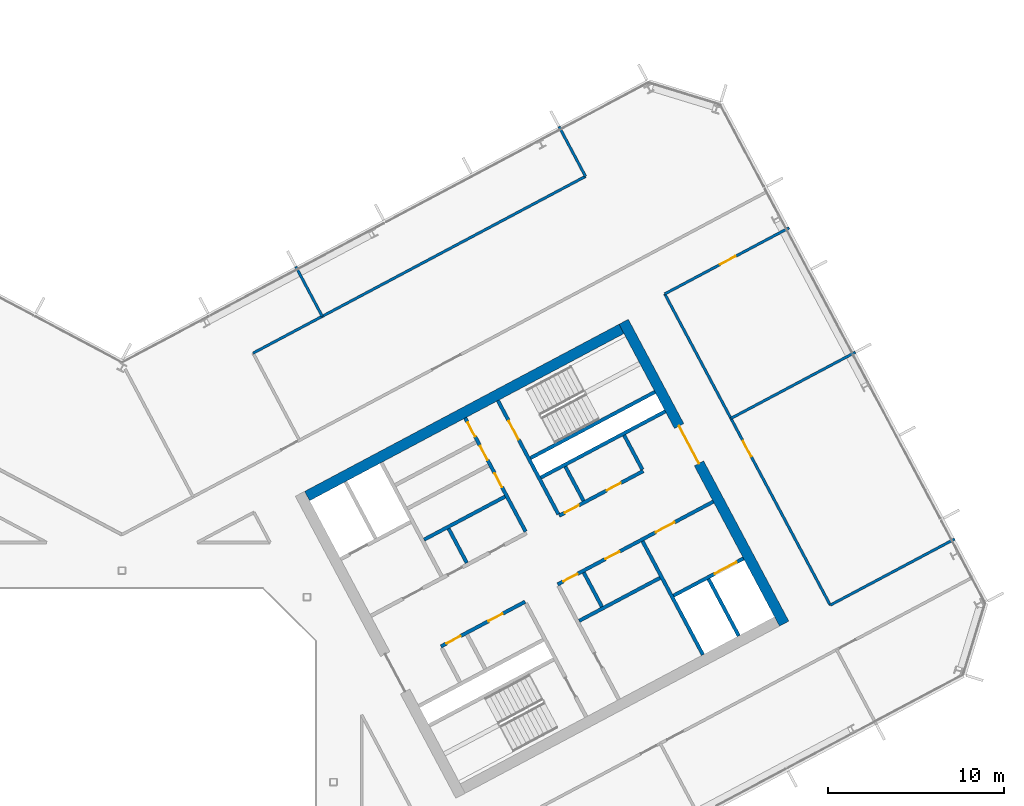
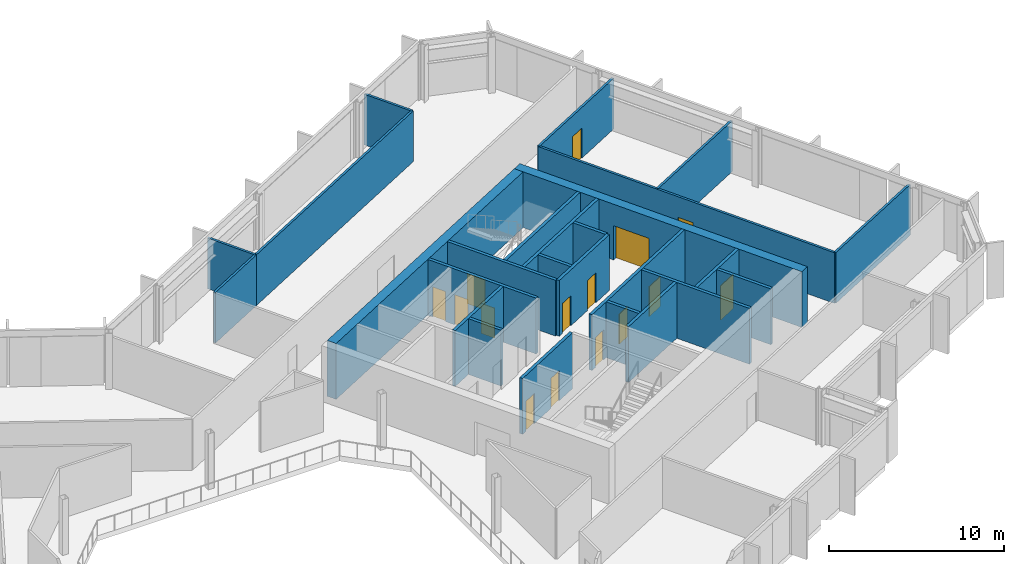
# One storey, part 17 of 27: 26 walls, 15 doors, 15 openings.
"""IFC4 building model written with IfcOpenShell, lengths in metres."""

from ifc_helpers import new_model, si_unit, direction, frame, frame_2d, origin, place, context, subcontext, project, spatial, rectangle, extrude, material, layer, layer_set, type_object, element, fill, save


model = new_model("IFC4")

# Units and contexts
model_context = context("Model", 3, precision=1e-05, world=origin(), true_north=direction((0.0, 1.0)))
body_context = subcontext(model_context, "Body", "Model", "MODEL_VIEW")
ifc_project = project(units=[si_unit("LENGTHUNIT", "METRE"), si_unit("AREAUNIT", "SQUARE_METRE"), si_unit("VOLUMEUNIT", "CUBIC_METRE"), si_unit("PLANEANGLEUNIT", "RADIAN"), si_unit("MASSUNIT", "GRAM", prefix="KILO")], contexts=[model_context])

# Site, building, storey
site_placement = place(None, origin())
site = spatial("IfcSite", under=ifc_project, at=site_placement, CompositionType="ELEMENT")
building_placement = place(site_placement, origin())
building = spatial("IfcBuilding", under=site, at=building_placement, Name="Cormorant Relay Tower", CompositionType="ELEMENT")
storey_placement = place(building_placement, frame((0.0, 0.0, 240.300048828125)))
storey = spatial("IfcBuildingStorey", under=building, at=storey_placement, Name="L53", CompositionType="ELEMENT", Elevation=240.300048828125)

# Walls
ifc_material_1 = material(Name="Concrete 40 MPa", Category="concrete")
ifc_layer_1 = layer(ifc_material_1, 0.199951171875)
ifc_layer_set_1 = layer_set([ifc_layer_1], Name="Core internal wall 200")
wall_type_1 = type_object("IfcWallType", Name="Core internal wall 200", PredefinedType="SOLIDWALL", material=ifc_layer_set_1)
for number, where, z_axis, x_axis, name in (
    (1, (19.568603515625, 12.443603515625, 0.0), (0.0, 0.0, 1.0), (-0.4694473164, 0.882960484464, 0.0), "L53 core B shaft and room wall"),
    (2, (27.236083984375, 9.951416015625, 0.0), (0.0, 0.0, 1.0), (-0.4694473164, 0.882960484464, 0.0), "L53 core B shaft and room wall"),
    (3, (26.19091796875, 15.964599609375, 0.0), (0.0, 0.0, 1.0), (-0.469533832133, 0.882914480843, 0.0), "L53 core B shaft and room wall"),
):
    element("IfcWall", number, at=place(storey_placement, frame(where, z_axis=z_axis, x_axis=x_axis)), inside=storey, type_object=wall_type_1, Name=name, PredefinedType="SOLIDWALL", context=body_context, shape_type="SweptSolid", body=[
        extrude(rectangle(XDim=2.199951171875, YDim=0.199951171875, at=frame_2d((1.10009765625, 0.0))), origin(), (0.0, 0.0, 1.0), 3.89990234375),
    ])

# Wall, openings, doors
ifc_material_2 = material(Name="Concrete 50 MPa", Category="concrete")
ifc_layer_2 = layer(ifc_material_2, 0.199951171875)
ifc_layer_set_2 = layer_set([ifc_layer_2], Name="Core shaft wall 200")
wall_type_2 = type_object("IfcWallType", Name="Core shaft wall 200", PredefinedType="SHEAR", material=ifc_layer_set_2)
wall_1_placement = place(storey_placement, frame((22.90625, 14.218017578125, 0.0), z_axis=(0.0, 0.0, 1.0), x_axis=(-0.469480409012, 0.88294288918, 0.0)))
wall_1 = element("IfcWall", 4, at=wall_1_placement, inside=storey, type_object=wall_type_2, Name="L53 core B shaft wall", PredefinedType="SHEAR", context=body_context, shape_type="SweptSolid", body=[
    extrude(rectangle(XDim=7.300048828125, YDim=0.199951171875, at=frame_2d((3.64990234375, 0.0))), origin(), (0.0, 0.0, 1.0), 3.89990234375),
])
opening_1_placement = place(wall_1_placement, frame((2.85009765625, 0.0, 0.0)))
opening_1 = element("IfcOpeningElement", 5, at=opening_1_placement, cuts=wall_1, Name="Opening CDD-299", PredefinedType="OPENING", context=body_context, shape_type="SweptSolid", body=[
    extrude(rectangle(XDim=0.89990234375, YDim=2.10009765625, at=frame_2d((0.449951171875, 1.050048828125))), frame((0.0, 0.10986328125, 0.0), z_axis=(0.0, -1.0, 0.0), x_axis=(1.0, 0.0, 0.0)), (0.0, 0.0, 1.0), 0.219970703125),
])
opening_2_placement = place(wall_1_placement, frame((4.60009765625, 0.0, 0.0)))
opening_2 = element("IfcOpeningElement", 6, at=opening_2_placement, cuts=wall_1, Name="Opening CDD-300", PredefinedType="OPENING", context=body_context, shape_type="SweptSolid", body=[
    extrude(rectangle(XDim=0.89990234375, YDim=2.10009765625, at=frame_2d((0.449951171875, 1.050048828125))), frame((0.0, 0.10986328125, 0.0), z_axis=(0.0, -1.0, 0.0), x_axis=(1.0, 0.0, 0.0)), (0.0, 0.0, 1.0), 0.219970703125),
])
opening_3_placement = place(wall_1_placement, frame((6.10009765625, 0.0, 0.0)))
opening_3 = element("IfcOpeningElement", 7, at=opening_3_placement, cuts=wall_1, Name="Opening CDD-301", PredefinedType="OPENING", context=body_context, shape_type="SweptSolid", body=[
    extrude(rectangle(XDim=0.89990234375, YDim=2.10009765625, at=frame_2d((0.449951171875, 1.050048828125))), frame((0.0, 0.10986328125, 0.0), z_axis=(0.0, -1.0, 0.0), x_axis=(1.0, 0.0, 0.0)), (0.0, 0.0, 1.0), 0.219970703125),
])
ifc_material_3 = material(Name="Steel fire door", Category="steel")
door_type_1 = type_object("IfcDoorType", Name="Core room door 900x2100", OperationType="SINGLE_SWING_LEFT", PredefinedType="DOOR", material=ifc_material_3)
door_1_placement = place(opening_1_placement, origin())
door_1 = element("IfcDoor", 8, at=door_1_placement, inside=storey, type_object=door_type_1, Name="Core room door 900x2100", OperationType="SINGLE_SWING_RIGHT", OverallHeight=2.10009765625, OverallWidth=0.89990234375, PredefinedType="DOOR", context=body_context, shape_type="SweptSolid", body=[
    extrude(rectangle(XDim=0.89990234375, YDim=2.10009765625, at=frame_2d((0.449951171875, 1.050048828125))), frame((0.0, 0.02490234375, 0.0), z_axis=(0.0, -1.0, 0.0), x_axis=(1.0, 0.0, 0.0)), (0.0, 0.0, 1.0), 0.050048828125),
])
fill(opening_1, door_1)
door_2_placement = place(opening_2_placement, origin())
door_2 = element("IfcDoor", 9, at=door_2_placement, inside=storey, type_object=door_type_1, Name="Core room door 900x2100", OperationType="SINGLE_SWING_LEFT", OverallHeight=2.10009765625, OverallWidth=0.89990234375, PredefinedType="DOOR", context=body_context, shape_type="SweptSolid", body=[
    extrude(rectangle(XDim=0.89990234375, YDim=2.10009765625, at=frame_2d((0.449951171875, 1.050048828125))), frame((0.0, 0.02490234375, 0.0), z_axis=(0.0, -1.0, 0.0), x_axis=(1.0, 0.0, 0.0)), (0.0, 0.0, 1.0), 0.050048828125),
])
fill(opening_2, door_2)
door_3_placement = place(opening_3_placement, origin())
door_3 = element("IfcDoor", 10, at=door_3_placement, inside=storey, type_object=door_type_1, Name="Core room door 900x2100", OperationType="SINGLE_SWING_LEFT", OverallHeight=2.10009765625, OverallWidth=0.89990234375, PredefinedType="DOOR", context=body_context, shape_type="SweptSolid", body=[
    extrude(rectangle(XDim=0.89990234375, YDim=2.10009765625, at=frame_2d((0.449951171875, 1.050048828125))), frame((0.0, 0.02490234375, 0.0), z_axis=(0.0, -1.0, 0.0), x_axis=(1.0, 0.0, 0.0)), (0.0, 0.0, 1.0), 0.050048828125),
])
fill(opening_3, door_3)

# Wall, opening, door
wall_2_placement = place(storey_placement, frame((24.760498046875, 15.2041015625, 0.0), z_axis=(0.0, 0.0, 1.0), x_axis=(-0.469494272526, 0.882935517501, 0.0)))
wall_2 = element("IfcWall", 11, at=wall_2_placement, inside=storey, type_object=wall_type_2, Name="L53 core B shaft wall", PredefinedType="SHEAR", context=body_context, shape_type="SweptSolid", body=[
    extrude(rectangle(XDim=7.2998046875, YDim=0.199951171875, at=frame_2d((3.64990234375, 0.0))), origin(), (0.0, 0.0, 1.0), 3.89990234375),
])
opening_4_placement = place(wall_2_placement, frame((4.800048828125, 0.0, 0.0)))
opening_4 = element("IfcOpeningElement", 12, at=opening_4_placement, cuts=wall_2, Name="Opening CDB-041", PredefinedType="OPENING", context=body_context, shape_type="SweptSolid", body=[
    extrude(rectangle(XDim=1.199951171875, YDim=2.10009765625, at=frame_2d((0.60009765625, 1.050048828125))), frame((0.0, 0.10986328125, 0.0), z_axis=(0.0, -1.0, 0.0), x_axis=(1.0, 0.0, 0.0)), (0.0, 0.0, 1.0), 0.219970703125),
])
ifc_material_4 = material(Name="Steel fire door", Category="steel")
door_type_2 = type_object("IfcDoorType", Name="Core stair door 1200x2100", OperationType="SINGLE_SWING_LEFT", PredefinedType="DOOR", material=ifc_material_4)
door_4_placement = place(opening_4_placement, frame((1.199951171875, 0.0, 0.0), z_axis=(0.0, 0.0, 1.0), x_axis=(-1.0, 0.0, 0.0)))
door_4 = element("IfcDoor", 13, at=door_4_placement, inside=storey, type_object=door_type_2, Name="Core stair door 1200x2100", OperationType="SINGLE_SWING_RIGHT", OverallHeight=2.10009765625, OverallWidth=1.199951171875, PredefinedType="DOOR", context=body_context, shape_type="SweptSolid", body=[
    extrude(rectangle(XDim=1.199951171875, YDim=2.10009765625, at=frame_2d((0.60009765625, 1.050048828125))), frame((0.0, 0.02490234375, 0.0), z_axis=(0.0, -1.0, 0.0), x_axis=(1.0, 0.0, 0.0)), (0.0, 0.0, 1.0), 0.050048828125),
])
fill(opening_4, door_4)

# Walls
wall_3_placement = place(storey_placement, frame((32.968017578125, 7.222900390625, 0.0), z_axis=(0.0, 0.0, 1.0), x_axis=(-0.469480409012, 0.88294288918, 0.0)))
element("IfcWall", 14, at=wall_3_placement, inside=storey, type_object=wall_type_2, Name="L53 core B shaft wall", PredefinedType="SHEAR", context=body_context, shape_type="SweptSolid", body=[
    extrude(rectangle(XDim=7.300048828125, YDim=0.199951171875, at=frame_2d((3.64990234375, 0.0))), origin(), (0.0, 0.0, 1.0), 3.89990234375),
])
wall_4_placement = place(storey_placement, frame((29.5283203125, 17.739013671875, 0.0), z_axis=(0.0, 0.0, 1.0), x_axis=(-0.469401318492, 0.882984938828, 0.0)))
element("IfcWall", 15, at=wall_4_placement, inside=storey, type_object=wall_type_2, Name="L53 core B shaft wall", PredefinedType="SHEAR", context=body_context, shape_type="SweptSolid", body=[
    extrude(rectangle(XDim=2.199951171875, YDim=0.199951171875, at=frame_2d((1.10009765625, 0.0))), origin(), (0.0, 0.0, 1.0), 3.89990234375),
])
wall_5_placement = place(storey_placement, frame((34.998779296875, 8.302734375, 0.0), z_axis=(0.0, 0.0, 1.0), x_axis=(-0.4694665462, 0.882950260207, 0.0)))
element("IfcWall", 16, at=wall_5_placement, inside=storey, type_object=wall_type_2, Name="L53 core B shaft wall", PredefinedType="SHEAR", context=body_context, shape_type="SweptSolid", body=[
    extrude(rectangle(XDim=3.650146484375, YDim=0.199951171875, at=frame_2d((1.8251953125, 0.0))), origin(), (0.0, 0.0, 1.0), 3.89990234375),
])

# Wall, opening, door
wall_6_placement = place(storey_placement, frame((31.295654296875, 10.5810546875, 0.0), z_axis=(0.0, 0.0, 1.0), x_axis=(0.882960433586, 0.469447412093, 0.0)))
wall_6 = element("IfcWall", 17, at=wall_6_placement, inside=storey, type_object=wall_type_2, Name="L53 core B shaft wall", PredefinedType="SHEAR", context=body_context, shape_type="SweptSolid", body=[
    extrude(rectangle(XDim=4.5, YDim=0.199951171875, at=frame_2d((2.25, 0.0))), origin(), (0.0, 0.0, 1.0), 3.89990234375),
])
opening_5_placement = place(wall_6_placement, frame((2.64990234375, 0.0, 0.0)))
opening_5 = element("IfcOpeningElement", 18, at=opening_5_placement, cuts=wall_6, Name="Opening LD3-016", PredefinedType="OPENING", context=body_context, shape_type="SweptSolid", body=[
    extrude(rectangle(XDim=1.39990234375, YDim=2.39990234375, at=frame_2d((0.699951171875, 1.199951171875))), frame((0.0, 0.10986328125, 0.0), z_axis=(0.0, -1.0, 0.0), x_axis=(1.0, 0.0, 0.0)), (0.0, 0.0, 1.0), 0.219970703125),
])
ifc_material_5 = material(Name="Stainless steel 316", Category="steel")
door_type_3 = type_object("IfcDoorType", Name="Lift landing door 1400x2400", OperationType="DOUBLE_DOOR_SLIDING", PredefinedType="DOOR", material=ifc_material_5)
door_5_placement = place(opening_5_placement, origin())
door_5 = element("IfcDoor", 19, at=door_5_placement, inside=storey, type_object=door_type_3, Name="SV2 landing door", OperationType="DOUBLE_DOOR_SLIDING", OverallHeight=2.39990234375, OverallWidth=1.39990234375, PredefinedType="DOOR", context=body_context, shape_type="SweptSolid", body=[
    extrude(rectangle(XDim=1.39990234375, YDim=2.39990234375, at=frame_2d((0.699951171875, 1.199951171875))), frame((0.0, 0.02490234375, 0.0), z_axis=(0.0, -1.0, 0.0), x_axis=(1.0, 0.0, 0.0)), (0.0, 0.0, 1.0), 0.050048828125),
])
fill(opening_5, door_5)

# Wall
wall_7_placement = place(storey_placement, frame((25.94091796875, 9.149658203125, 0.0), z_axis=(0.0, 0.0, 1.0), x_axis=(0.882953967957, 0.469459572775, 0.0)))
element("IfcWall", 20, at=wall_7_placement, inside=storey, type_object=wall_type_2, Name="L53 core B shaft wall", PredefinedType="SHEAR", context=body_context, shape_type="SweptSolid", body=[
    extrude(rectangle(XDim=5.199951171875, YDim=0.199951171875, at=frame_2d((2.60009765625, 0.0))), origin(), (0.0, 0.0, 1.0), 3.89990234375),
])

# Wall, openings, doors
wall_8_placement = place(storey_placement, frame((18.103759765625, 7.70068359375, 0.0), z_axis=(0.0, 0.0, 1.0), x_axis=(0.882952937579, 0.469461510692, 0.0)))
wall_8 = element("IfcWall", 21, at=wall_8_placement, inside=storey, type_object=wall_type_2, Name="L53 core B shaft wall", PredefinedType="SHEAR", context=body_context, shape_type="SweptSolid", body=[
    extrude(rectangle(XDim=5.400146484375, YDim=0.199951171875, at=frame_2d((2.7001953125, 0.0))), origin(), (0.0, 0.0, 1.0), 3.89990234375),
])
opening_6_placement = place(wall_8_placement, frame((0.360107421875, 0.0, 0.0)))
opening_6 = element("IfcOpeningElement", 22, at=opening_6_placement, cuts=wall_8, Name="Opening CDD-295", PredefinedType="OPENING", context=body_context, shape_type="SweptSolid", body=[
    extrude(rectangle(XDim=0.89990234375, YDim=2.10009765625, at=frame_2d((0.449951171875, 1.050048828125))), frame((0.0, 0.10986328125, 0.0), z_axis=(0.0, -1.0, 0.0), x_axis=(1.0, 0.0, 0.0)), (0.0, 0.0, 1.0), 0.219970703125),
])
opening_7_placement = place(wall_8_placement, frame((3.06005859375, 0.0, 0.0)))
opening_7 = element("IfcOpeningElement", 23, at=opening_7_placement, cuts=wall_8, Name="Opening CDD-296", PredefinedType="OPENING", context=body_context, shape_type="SweptSolid", body=[
    extrude(rectangle(XDim=0.89990234375, YDim=2.10009765625, at=frame_2d((0.449951171875, 1.050048828125))), frame((0.0, 0.10986328125, 0.0), z_axis=(0.0, -1.0, 0.0), x_axis=(1.0, 0.0, 0.0)), (0.0, 0.0, 1.0), 0.219970703125),
])
door_6_placement = place(opening_6_placement, origin())
door_6 = element("IfcDoor", 24, at=door_6_placement, inside=storey, type_object=door_type_1, Name="Core room door 900x2100", OperationType="SINGLE_SWING_LEFT", OverallHeight=2.10009765625, OverallWidth=0.89990234375, PredefinedType="DOOR", context=body_context, shape_type="SweptSolid", body=[
    extrude(rectangle(XDim=0.89990234375, YDim=2.10009765625, at=frame_2d((0.449951171875, 1.050048828125))), frame((0.0, 0.02490234375, 0.0), z_axis=(0.0, -1.0, 0.0), x_axis=(1.0, 0.0, 0.0)), (0.0, 0.0, 1.0), 0.050048828125),
])
fill(opening_6, door_6)
door_7_placement = place(opening_7_placement, origin())
door_7 = element("IfcDoor", 25, at=door_7_placement, inside=storey, type_object=door_type_1, Name="Core room door 900x2100", OperationType="SINGLE_SWING_LEFT", OverallHeight=2.10009765625, OverallWidth=0.89990234375, PredefinedType="DOOR", context=body_context, shape_type="SweptSolid", body=[
    extrude(rectangle(XDim=0.89990234375, YDim=2.10009765625, at=frame_2d((0.449951171875, 1.050048828125))), frame((0.0, 0.02490234375, 0.0), z_axis=(0.0, -1.0, 0.0), x_axis=(1.0, 0.0, 0.0)), (0.0, 0.0, 1.0), 0.050048828125),
])
fill(opening_7, door_7)

wall_9_placement = place(storey_placement, frame((24.72607421875, 11.2216796875, 0.0), z_axis=(0.0, 0.0, 1.0), x_axis=(0.882940221191, 0.469485426614, 0.0)))
wall_9 = element("IfcWall", 26, at=wall_9_placement, inside=storey, type_object=wall_type_2, Name="L53 core B shaft wall", PredefinedType="SHEAR", context=body_context, shape_type="SweptSolid", body=[
    extrude(rectangle(XDim=10.0, YDim=0.199951171875, at=frame_2d((5.0, 0.0))), origin(), (0.0, 0.0, 1.0), 3.89990234375),
])
opening_8_placement = place(wall_9_placement, frame((6.300048828125, 0.0, 0.0)))
opening_8 = element("IfcOpeningElement", 27, at=opening_8_placement, cuts=wall_9, Name="Opening CDC-038", PredefinedType="OPENING", context=body_context, shape_type="SweptSolid", body=[
    extrude(rectangle(XDim=1.199951171875, YDim=2.10009765625, at=frame_2d((0.60009765625, 1.050048828125))), frame((0.0, 0.10986328125, 0.0), z_axis=(0.0, -1.0, 0.0), x_axis=(1.0, 0.0, 0.0)), (0.0, 0.0, 1.0), 0.219970703125),
])
opening_9_placement = place(wall_9_placement, frame((0.360107421875, 0.0, 0.0)))
opening_9 = element("IfcOpeningElement", 28, at=opening_9_placement, cuts=wall_9, Name="Opening CDD-297", PredefinedType="OPENING", context=body_context, shape_type="SweptSolid", body=[
    extrude(rectangle(XDim=0.89990234375, YDim=2.10009765625, at=frame_2d((0.449951171875, 1.050048828125))), frame((0.0, 0.10986328125, 0.0), z_axis=(0.0, -1.0, 0.0), x_axis=(1.0, 0.0, 0.0)), (0.0, 0.0, 1.0), 0.219970703125),
])
opening_10_placement = place(wall_9_placement, frame((3.06005859375, 0.0, 0.0)))
opening_10 = element("IfcOpeningElement", 29, at=opening_10_placement, cuts=wall_9, Name="Opening CDD-298", PredefinedType="OPENING", context=body_context, shape_type="SweptSolid", body=[
    extrude(rectangle(XDim=0.89990234375, YDim=2.10009765625, at=frame_2d((0.449951171875, 1.050048828125))), frame((0.0, 0.10986328125, 0.0), z_axis=(0.0, -1.0, 0.0), x_axis=(1.0, 0.0, 0.0)), (0.0, 0.0, 1.0), 0.219970703125),
])
ifc_material_6 = material(Name="Steel fire door", Category="steel")
door_type_4 = type_object("IfcDoorType", Name="Core lobby door 1200x2100", OperationType="SINGLE_SWING_LEFT", PredefinedType="DOOR", material=ifc_material_6)
door_8_placement = place(opening_8_placement, origin())
door_8 = element("IfcDoor", 30, at=door_8_placement, inside=storey, type_object=door_type_4, Name="Core lobby door 1200x2100", OperationType="SINGLE_SWING_LEFT", OverallHeight=2.10009765625, OverallWidth=1.199951171875, PredefinedType="DOOR", context=body_context, shape_type="SweptSolid", body=[
    extrude(rectangle(XDim=1.199951171875, YDim=2.10009765625, at=frame_2d((0.60009765625, 1.050048828125))), frame((0.0, 0.02490234375, 0.0), z_axis=(0.0, -1.0, 0.0), x_axis=(1.0, 0.0, 0.0)), (0.0, 0.0, 1.0), 0.050048828125),
])
fill(opening_8, door_8)
door_9_placement = place(opening_9_placement, origin())
door_9 = element("IfcDoor", 31, at=door_9_placement, inside=storey, type_object=door_type_1, Name="Core room door 900x2100", OperationType="SINGLE_SWING_LEFT", OverallHeight=2.10009765625, OverallWidth=0.89990234375, PredefinedType="DOOR", context=body_context, shape_type="SweptSolid", body=[
    extrude(rectangle(XDim=0.89990234375, YDim=2.10009765625, at=frame_2d((0.449951171875, 1.050048828125))), frame((0.0, 0.02490234375, 0.0), z_axis=(0.0, -1.0, 0.0), x_axis=(1.0, 0.0, 0.0)), (0.0, 0.0, 1.0), 0.050048828125),
])
fill(opening_9, door_9)
door_10_placement = place(opening_10_placement, origin())
door_10 = element("IfcDoor", 32, at=door_10_placement, inside=storey, type_object=door_type_1, Name="Core room door 900x2100", OperationType="SINGLE_SWING_LEFT", OverallHeight=2.10009765625, OverallWidth=0.89990234375, PredefinedType="DOOR", context=body_context, shape_type="SweptSolid", body=[
    extrude(rectangle(XDim=0.89990234375, YDim=2.10009765625, at=frame_2d((0.449951171875, 1.050048828125))), frame((0.0, 0.02490234375, 0.0), z_axis=(0.0, -1.0, 0.0), x_axis=(1.0, 0.0, 0.0)), (0.0, 0.0, 1.0), 0.050048828125),
])
fill(opening_10, door_10)

wall_10_placement = place(storey_placement, frame((24.807373046875, 15.11572265625, 0.0), z_axis=(0.0, 0.0, 1.0), x_axis=(0.882942972946, 0.469480251476, 0.0)))
wall_10 = element("IfcWall", 33, at=wall_10_placement, inside=storey, type_object=wall_type_2, Name="L53 core B shaft wall", PredefinedType="SHEAR", context=body_context, shape_type="SweptSolid", body=[
    extrude(rectangle(XDim=5.39990234375, YDim=0.199951171875, at=frame_2d((2.699951171875, 0.0))), origin(), (0.0, 0.0, 1.0), 3.89990234375),
])
opening_11_placement = place(wall_10_placement, frame((0.360107421875, 0.0, 0.0)))
opening_11 = element("IfcOpeningElement", 34, at=opening_11_placement, cuts=wall_10, Name="Opening CDD-243", PredefinedType="OPENING", context=body_context, shape_type="SweptSolid", body=[
    extrude(rectangle(XDim=0.89990234375, YDim=2.10009765625, at=frame_2d((0.449951171875, 1.050048828125))), frame((0.0, 0.10986328125, 0.0), z_axis=(0.0, -1.0, 0.0), x_axis=(1.0, 0.0, 0.0)), (0.0, 0.0, 1.0), 0.219970703125),
])
opening_12_placement = place(wall_10_placement, frame((3.06005859375, 0.0, 0.0)))
opening_12 = element("IfcOpeningElement", 35, at=opening_12_placement, cuts=wall_10, Name="Opening CDD-294", PredefinedType="OPENING", context=body_context, shape_type="SweptSolid", body=[
    extrude(rectangle(XDim=0.89990234375, YDim=2.10009765625, at=frame_2d((0.449951171875, 1.050048828125))), frame((0.0, 0.10986328125, 0.0), z_axis=(0.0, -1.0, 0.0), x_axis=(1.0, 0.0, 0.0)), (0.0, 0.0, 1.0), 0.219970703125),
])
door_11_placement = place(opening_11_placement, origin())
door_11 = element("IfcDoor", 36, at=door_11_placement, inside=storey, type_object=door_type_1, Name="Core room door 900x2100", OperationType="SINGLE_SWING_LEFT", OverallHeight=2.10009765625, OverallWidth=0.89990234375, PredefinedType="DOOR", context=body_context, shape_type="SweptSolid", body=[
    extrude(rectangle(XDim=0.89990234375, YDim=2.10009765625, at=frame_2d((0.449951171875, 1.050048828125))), frame((0.0, 0.02490234375, 0.0), z_axis=(0.0, -1.0, 0.0), x_axis=(1.0, 0.0, 0.0)), (0.0, 0.0, 1.0), 0.050048828125),
])
fill(opening_11, door_11)
door_12_placement = place(opening_12_placement, origin())
door_12 = element("IfcDoor", 37, at=door_12_placement, inside=storey, type_object=door_type_1, Name="Core room door 900x2100", OperationType="SINGLE_SWING_LEFT", OverallHeight=2.10009765625, OverallWidth=0.89990234375, PredefinedType="DOOR", context=body_context, shape_type="SweptSolid", body=[
    extrude(rectangle(XDim=0.89990234375, YDim=2.10009765625, at=frame_2d((0.449951171875, 1.050048828125))), frame((0.0, 0.02490234375, 0.0), z_axis=(0.0, -1.0, 0.0), x_axis=(1.0, 0.0, 0.0)), (0.0, 0.0, 1.0), 0.050048828125),
])
fill(opening_12, door_12)

# Walls
wall_11_placement = place(storey_placement, frame((17.146728515625, 13.7607421875, 0.0), z_axis=(0.0, 0.0, 1.0), x_axis=(0.882964314875, 0.469440111896, 0.0)))
element("IfcWall", 38, at=wall_11_placement, inside=storey, type_object=wall_type_2, Name="L53 core B shaft wall", PredefinedType="SHEAR", context=body_context, shape_type="SweptSolid", body=[
    extrude(rectangle(XDim=5.2001953125, YDim=0.199951171875, at=frame_2d((2.60009765625, 0.0))), origin(), (0.0, 0.0, 1.0), 3.89990234375),
])
wall_12_placement = place(storey_placement, frame((23.76904296875, 17.28173828125, 0.0), z_axis=(0.0, 0.0, 1.0), x_axis=(0.882940221191, 0.469485426614, 0.0)))
element("IfcWall", 39, at=wall_12_placement, inside=storey, type_object=wall_type_2, Name="L53 core B shaft wall", PredefinedType="SHEAR", context=body_context, shape_type="SweptSolid", body=[
    extrude(rectangle(XDim=8.0, YDim=0.199951171875, at=frame_2d((4.0, 0.0))), origin(), (0.0, 0.0, 1.0), 3.89990234375),
])
wall_13_placement = place(storey_placement, frame((23.18212890625, 18.385498046875, 0.0), z_axis=(0.0, 0.0, 1.0), x_axis=(0.88295287151, 0.469461634952, 0.0)))
element("IfcWall", 40, at=wall_13_placement, inside=storey, type_object=wall_type_2, Name="L53 core B shaft wall", PredefinedType="SHEAR", context=body_context, shape_type="SweptSolid", body=[
    extrude(rectangle(XDim=7.999755859375, YDim=0.199951171875, at=frame_2d((4.0, 0.0))), origin(), (0.0, 0.0, 1.0), 3.89990234375),
])

# Wall, opening, door
ifc_material_7 = material(Name="Concrete 50 MPa", Category="concrete")
ifc_layer_3 = layer(ifc_material_7, 0.60009765625)
ifc_layer_set_3 = layer_set([ifc_layer_3], Name="Core wall 600")
wall_type_3 = type_object("IfcWallType", Name="Core wall 600", PredefinedType="SHEAR", material=ifc_layer_set_3)
wall_14_placement = place(storey_placement, frame((37.576171875, 8.99365234375, 0.0), z_axis=(0.0, 0.0, 1.0), x_axis=(-0.469478769487, 0.88294376095, 0.0)))
wall_14 = element("IfcWall", 41, at=wall_14_placement, inside=storey, type_object=wall_type_3, Name="L53 core B wall", PredefinedType="SHEAR", context=body_context, shape_type="SweptSolid", body=[
    extrude(rectangle(XDim=19.400146484375, YDim=0.60009765625, at=frame_2d((9.7001953125, 0.0))), origin(), (0.0, 0.0, 1.0), 3.89990234375),
])
opening_13_placement = place(wall_14_placement, frame((10.300048828125, 0.0, 0.0)))
opening_13 = element("IfcOpeningElement", 42, at=opening_13_placement, cuts=wall_14, Name="Opening CDA-043", PredefinedType="OPENING", context=body_context, shape_type="SweptSolid", body=[
    extrude(rectangle(XDim=2.39990234375, YDim=2.39990234375, at=frame_2d((1.199951171875, 1.199951171875))), frame((0.0, 0.31005859375, 0.0), z_axis=(0.0, -1.0, 0.0), x_axis=(1.0, 0.0, 0.0)), (0.0, 0.0, 1.0), 0.6201171875),
])
ifc_material_8 = material(Name="Steel fire door", Category="steel")
door_type_5 = type_object("IfcDoorType", Name="Core lobby door 2400x2400", OperationType="DOUBLE_DOOR_SINGLE_SWING", PredefinedType="DOOR", material=ifc_material_8)
door_13_placement = place(opening_13_placement, origin())
door_13 = element("IfcDoor", 43, at=door_13_placement, inside=storey, type_object=door_type_5, Name="Core lobby door 2400x2400", OperationType="DOUBLE_DOOR_SINGLE_SWING", OverallHeight=2.39990234375, OverallWidth=2.39990234375, PredefinedType="DOOR", context=body_context, shape_type="SweptSolid", body=[
    extrude(rectangle(XDim=2.39990234375, YDim=2.39990234375, at=frame_2d((1.199951171875, 1.199951171875))), frame((0.0, 0.02490234375, 0.0), z_axis=(0.0, -1.0, 0.0), x_axis=(1.0, 0.0, 0.0)), (0.0, 0.0, 1.0), 0.050048828125),
])
fill(opening_13, door_13)

# Wall
wall_15_placement = place(storey_placement, frame((10.5087890625, 16.23388671875, 0.0), z_axis=(0.0, 0.0, 1.0), x_axis=(0.88295010195, 0.469466843842, 0.0)))
element("IfcWall", 44, at=wall_15_placement, inside=storey, type_object=wall_type_3, Name="L53 core B wall", PredefinedType="SHEAR", context=body_context, shape_type="SweptSolid", body=[
    extrude(rectangle(XDim=20.199951171875, YDim=0.60009765625, at=frame_2d((10.10009765625, 0.0))), origin(), (0.0, 0.0, 1.0), 3.89990234375),
])

# Wall, opening, door
ifc_material_9 = material(Name="Gypsum board fire partition")
ifc_layer_4 = layer(ifc_material_9, 0.14990234375)
ifc_layer_set_4 = layer_set([ifc_layer_4], Name="Corridor partition 150 EI 60")
wall_type_4 = type_object("IfcWallType", Name="Corridor partition 150 EI 60", PredefinedType="PARTITIONING", material=ifc_layer_set_4)
wall_16_placement = place(storey_placement, frame((37.863037109375, 31.4580078125, 0.0), z_axis=(0.0, 0.0, 1.0), x_axis=(-0.882914115089, -0.469534519898, 0.0)))
wall_16 = element("IfcWall", 45, at=wall_16_placement, inside=storey, type_object=wall_type_4, Name="wall/L53/part/041", PredefinedType="PARTITIONING", context=body_context, shape_type="SweptSolid", body=[
    extrude(rectangle(XDim=7.99951171875, YDim=0.14990234375, at=frame_2d((3.999755859375, 0.0))), origin(), (0.0, 0.0, 1.0), 3.5400390625),
])
opening_14_placement = place(wall_16_placement, frame((3.450927734375, 0.0, 0.0)))
opening_14 = element("IfcOpeningElement", 46, at=opening_14_placement, cuts=wall_16, Name="Opening DS-137", PredefinedType="OPENING", context=body_context, shape_type="SweptSolid", body=[
    extrude(rectangle(XDim=1.0, YDim=2.10009765625, at=frame_2d((0.5, 1.050048828125))), frame((0.0, 0.0849609375, 0.0), z_axis=(0.0, -1.0, 0.0), x_axis=(1.0, 0.0, 0.0)), (0.0, 0.0, 1.0), 0.169921875),
])
ifc_material_10 = material(Name="Timber door leaf", Category="wood")
door_type_6 = type_object("IfcDoorType", Name="Suite door 1000x2100", OperationType="SINGLE_SWING_LEFT", PredefinedType="DOOR", material=ifc_material_10)
door_14_placement = place(opening_14_placement, origin())
door_14 = element("IfcDoor", 47, at=door_14_placement, inside=storey, type_object=door_type_6, Name="door/L53/019", OperationType="SINGLE_SWING_RIGHT", OverallHeight=2.10009765625, OverallWidth=1.0, PredefinedType="DOOR", context=body_context, shape_type="SweptSolid", body=[
    extrude(rectangle(XDim=1.0, YDim=2.10009765625, at=frame_2d((0.5, 1.050048828125))), frame((0.0, 0.02490234375, 0.0), z_axis=(0.0, -1.0, 0.0), x_axis=(1.0, 0.0, 0.0)), (0.0, 0.0, 1.0), 0.050048828125),
])
fill(opening_14, door_14)

wall_17_placement = place(storey_placement, frame((30.800048828125, 27.701904296875, 0.0), z_axis=(0.0, 0.0, 1.0), x_axis=(0.469451816494, -0.882958091865, 0.0)))
wall_17 = element("IfcWall", 48, at=wall_17_placement, inside=storey, type_object=wall_type_4, Name="wall/L53/part/042", PredefinedType="PARTITIONING", context=body_context, shape_type="SweptSolid", body=[
    extrude(rectangle(XDim=19.999755859375, YDim=0.14990234375, at=frame_2d((10.0, 0.0))), origin(), (0.0, 0.0, 1.0), 3.5400390625),
])
opening_15_placement = place(wall_17_placement, frame((9.449951171875, 0.0, 0.0)))
opening_15 = element("IfcOpeningElement", 49, at=opening_15_placement, cuts=wall_17, Name="Opening DS-172", PredefinedType="OPENING", context=body_context, shape_type="SweptSolid", body=[
    extrude(rectangle(XDim=1.0, YDim=2.10009765625, at=frame_2d((0.5, 1.050048828125))), frame((0.0, 0.0849609375, 0.0), z_axis=(0.0, -1.0, 0.0), x_axis=(1.0, 0.0, 0.0)), (0.0, 0.0, 1.0), 0.169921875),
])
door_15_placement = place(opening_15_placement, origin())
door_15 = element("IfcDoor", 50, at=door_15_placement, inside=storey, type_object=door_type_6, Name="door/L53/018", OperationType="SINGLE_SWING_LEFT", OverallHeight=2.10009765625, OverallWidth=1.0, PredefinedType="DOOR", context=body_context, shape_type="SweptSolid", body=[
    extrude(rectangle(XDim=1.0, YDim=2.10009765625, at=frame_2d((0.5, 1.050048828125))), frame((0.0, 0.02490234375, 0.0), z_axis=(0.0, -1.0, 0.0), x_axis=(1.0, 0.0, 0.0)), (0.0, 0.0, 1.0), 0.050048828125),
])
fill(opening_15, door_15)

# Walls
wall_18_placement = place(storey_placement, frame((40.18896484375, 10.04296875, 0.0), z_axis=(0.0, 0.0, 1.0), x_axis=(0.882991619958, 0.469388750487, 0.0)))
element("IfcWall", 51, at=wall_18_placement, inside=storey, type_object=wall_type_4, Name="wall/L53/part/043", PredefinedType="PARTITIONING", context=body_context, shape_type="SweptSolid", body=[
    extrude(rectangle(XDim=8.0, YDim=0.14990234375, at=frame_2d((4.0, 0.0))), origin(), (0.0, 0.0, 1.0), 3.5400390625),
])
ifc_material_11 = material(Name="Gypsum board partition")
ifc_layer_5 = layer(ifc_material_11, 0.14990234375)
ifc_layer_set_5 = layer_set([ifc_layer_5], Name="Tenant partition 150")
wall_type_5 = type_object("IfcWallType", Name="Tenant partition 150", PredefinedType="PARTITIONING", material=ifc_layer_set_5)
wall_19_placement = place(storey_placement, frame((11.35498046875, 26.424072265625, 0.0), z_axis=(0.0, 0.0, 1.0), x_axis=(-0.882846627183, -0.469661402366, 0.0)))
element("IfcWall", 52, at=wall_19_placement, inside=storey, type_object=wall_type_5, Name="wall/L53/part/032", PredefinedType="PARTITIONING", context=body_context, shape_type="SweptSolid", body=[
    extrude(rectangle(XDim=4.430908203125, YDim=0.14990234375, at=frame_2d((2.21533203125, 0.0))), origin(), (0.0, 0.0, 1.0), 3.5400390625),
])
wall_20_placement = place(storey_placement, frame((9.864013671875, 29.2548828125, 0.0), z_axis=(0.0, 0.0, 1.0), x_axis=(0.469447181805, -0.882960556025, 0.0)))
element("IfcWall", 53, at=wall_20_placement, inside=storey, type_object=wall_type_5, Name="wall/L53/part/034", PredefinedType="PARTITIONING", context=body_context, shape_type="SweptSolid", body=[
    extrude(rectangle(XDim=3.199462890625, YDim=0.14990234375, at=frame_2d((1.599609375, 0.0))), origin(), (0.0, 0.0, 1.0), 3.5400390625),
])
wall_21_placement = place(storey_placement, frame((11.35498046875, 26.424072265625, 0.0), z_axis=(0.0, 0.0, 1.0), x_axis=(0.882971344108, 0.469426890458, 0.0)))
element("IfcWall", 54, at=wall_21_placement, inside=storey, type_object=wall_type_5, Name="wall/L53/part/035", PredefinedType="PARTITIONING", context=body_context, shape_type="SweptSolid", body=[
    extrude(rectangle(XDim=16.92919921875, YDim=0.14990234375, at=frame_2d((8.464599609375, 0.0))), origin(), (0.0, 0.0, 1.0), 3.5400390625),
])
wall_22_placement = place(storey_placement, frame((26.302978515625, 34.37109375, 0.0), z_axis=(0.0, 0.0, 1.0), x_axis=(-0.46919425931, 0.883094981885, 0.0)))
element("IfcWall", 55, at=wall_22_placement, inside=storey, type_object=wall_type_5, Name="wall/L53/part/036", PredefinedType="PARTITIONING", context=body_context, shape_type="SweptSolid", body=[
    extrude(rectangle(XDim=3.201171875, YDim=0.14990234375, at=frame_2d((1.6005859375, 0.0))), origin(), (0.0, 0.0, 1.0), 3.5400390625),
])
wall_23_placement = place(storey_placement, frame((41.618896484375, 24.39501953125, 0.0), z_axis=(0.0, 0.0, 1.0), x_axis=(-0.882914115089, -0.469534519898, 0.0)))
element("IfcWall", 56, at=wall_23_placement, inside=storey, type_object=wall_type_5, Name="wall/L53/part/044", PredefinedType="PARTITIONING", context=body_context, shape_type="SweptSolid", body=[
    extrude(rectangle(XDim=7.99951171875, YDim=0.14990234375, at=frame_2d((3.999755859375, 0.0))), origin(), (0.0, 0.0, 1.0), 3.5400390625),
])

save(model, "model.ifc")
